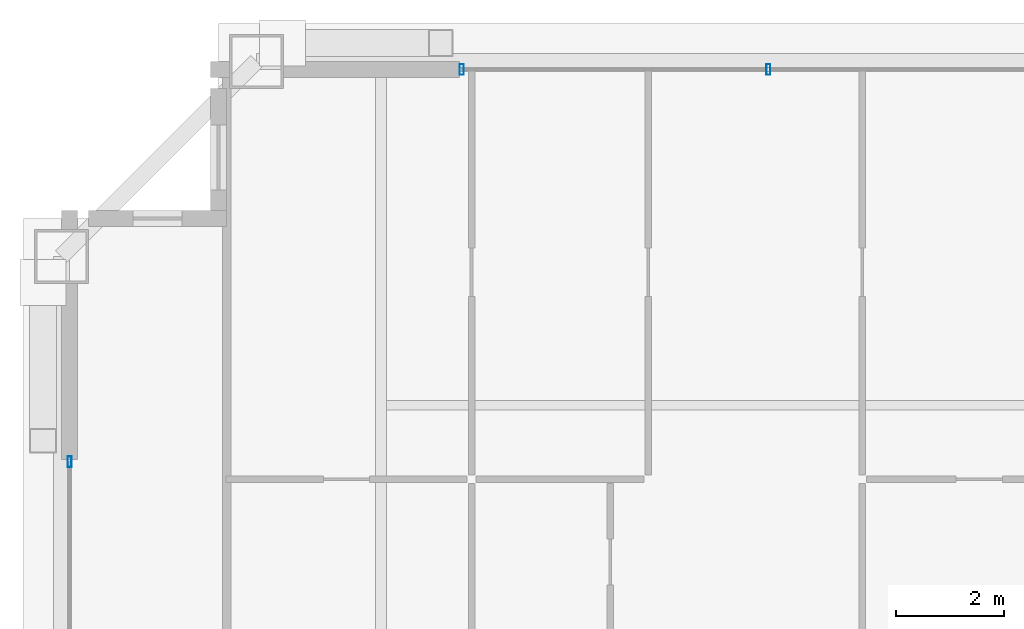
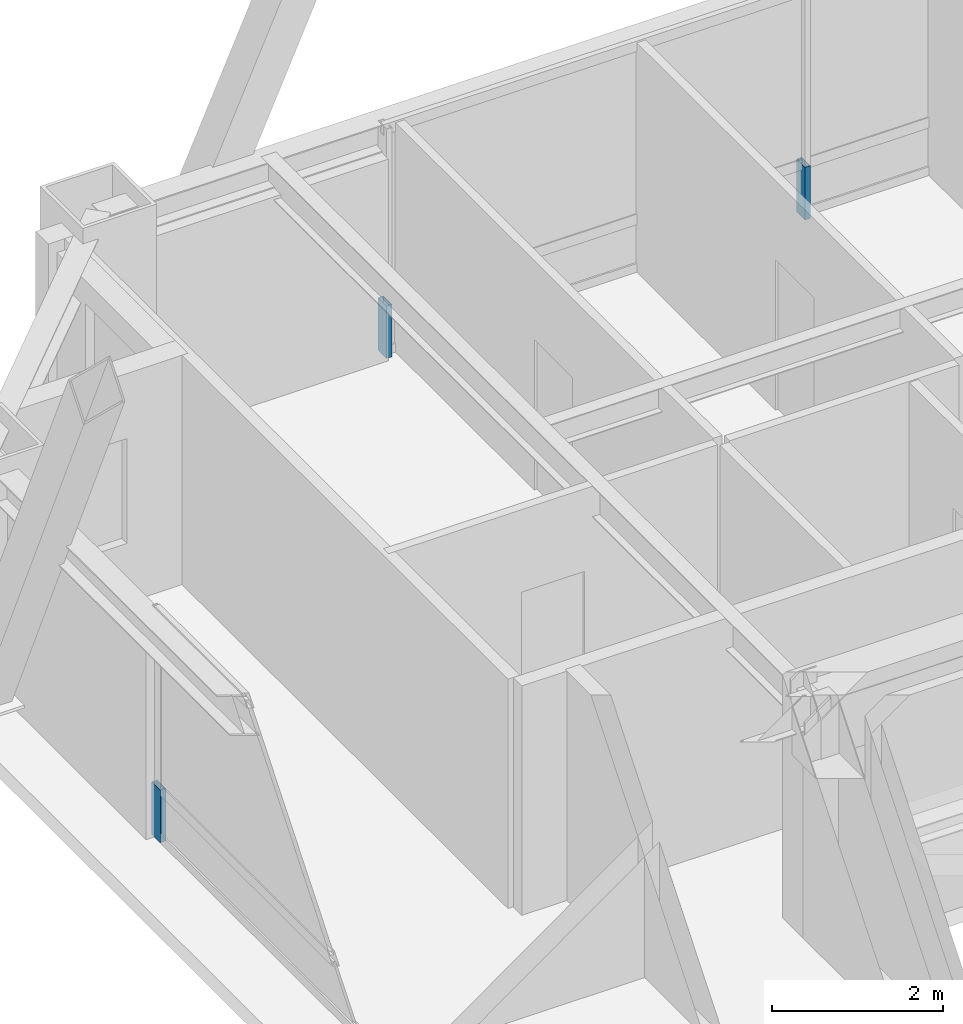
# One storey, part 26 of 35: 3 members, 2 elements without a shape of their own.
"""IFC4 building model written with IfcOpenShell, lengths in metres."""

from ifc_helpers import new_model, si_unit, direction, frame, origin, origin_2d, place, context, subcontext, project, spatial, hollow_rectangle, extrude, source, transform, mapped, material, layer, layer_set, material_profile, profile_set, type_object, element, aggregate, save


model = new_model("IFC4")

# Units and contexts
model_context = context("Model", 3, precision=1e-05, world=origin(), true_north=direction((0.0, 1.0)))
body_context = subcontext(model_context, "Body", "Model", "MODEL_VIEW")
ifc_project = project(units=[si_unit("LENGTHUNIT", "METRE"), si_unit("AREAUNIT", "SQUARE_METRE"), si_unit("VOLUMEUNIT", "CUBIC_METRE"), si_unit("PLANEANGLEUNIT", "RADIAN"), si_unit("MASSUNIT", "GRAM", prefix="KILO"), si_unit("THERMODYNAMICTEMPERATUREUNIT", "KELVIN"), si_unit("POWERUNIT", "WATT")], contexts=[model_context])

# Site, building, storey
site_placement = place(None, origin())
site = spatial("IfcSite", under=ifc_project, at=site_placement, CompositionType="ELEMENT")
building_placement = place(site_placement, origin())
building = spatial("IfcBuilding", under=site, at=building_placement, Name="Yuzanri Waterfront Tower", CompositionType="ELEMENT")
storey_placement = place(building_placement, frame((0.0, 0.0, 299.60009765625)))
storey = spatial("IfcBuildingStorey", under=building, at=storey_placement, Name="L80", CompositionType="ELEMENT", Elevation=299.60009765625)

# Curtain wall, members
ifc_material_1 = material(Name="Anodized Architectural Bronze", Category="metal")
ifc_layer = layer(ifc_material_1, 0.159912109375)
ifc_layer_set = layer_set([ifc_layer], Name="Anodized Architectural Bronze")
curtain_wall_type = type_object("IfcCurtainWallType", Name="Anodized Bronze High-Rise Penthouse High-Wind Unitized Curtain Wall 6900", PredefinedType="NOTDEFINED", material=ifc_layer_set)
curtain_wall_1_placement = place(storey_placement, origin())
curtain_wall_1 = element("IfcCurtainWall", 1, at=curtain_wall_1_placement, inside=storey, type_object=curtain_wall_type, Name="L80 Curtain Wall CW-L80-NL", PredefinedType="NOTDEFINED")
ifc_material_2 = material(Name="Anodized Architectural Bronze", Category="metal")
ifc_material_profile = material_profile(ifc_material_2, hollow_rectangle(XDim=0.074951171875, YDim=0.199951171875, WallThickness=0.00390625, at=origin_2d()), Name="CWM 75x200")
ifc_profile_set = profile_set([ifc_material_profile], Name="Anodized Architectural Bronze")
member_type = type_object("IfcMemberType", Name="Anodized Bronze Primary Curtain-Wall Mullion 75x200", PredefinedType="MULLION", material=ifc_profile_set)
shared_shape = source(origin(), body_context, "Body", "SweptSolid", [
    extrude(hollow_rectangle(XDim=0.074951171875, YDim=0.199951171875, WallThickness=0.00390625, at=origin_2d()), origin(), (0.0, 0.0, 1.0), 0.751953125),
])
member_1_placement = place(storey_placement, frame((25.2900390625, 44.75, 0.0), z_axis=(0.0, 0.0, 1.0), x_axis=(1.0, 0.0, 0.0)))
member_1 = element("IfcMember", 2, at=member_1_placement, type_object=member_type, Name="CW-L80-NL Lower Mullion 00", PredefinedType="MULLION", context=body_context, shape_type="MappedRepresentation", body=[
    mapped(shared_shape, transform((0.0, 0.0, 0.0), scale=1.0)),
])
member_2_placement = place(storey_placement, frame((30.949951171875, 44.75, 0.0), z_axis=(0.0, 0.0, 1.0), x_axis=(1.0, 0.0, 0.0)))
member_2 = element("IfcMember", 3, at=member_2_placement, type_object=member_type, Name="CW-L80-NL Lower Mullion 01", PredefinedType="MULLION", context=body_context, shape_type="MappedRepresentation", body=[
    mapped(shared_shape, transform((0.0, 0.0, 0.0), scale=1.0)),
])
aggregate(curtain_wall_1, [member_1, member_2])

# Curtain wall, member
curtain_wall_2_placement = place(storey_placement, origin())
curtain_wall_2 = element("IfcCurtainWall", 4, at=curtain_wall_2_placement, inside=storey, type_object=curtain_wall_type, Name="L80 Curtain Wall CW-L80-WR", PredefinedType="NOTDEFINED")
member_3_placement = place(storey_placement, frame((18.050048828125, 37.510009765625, 0.0), z_axis=(0.0, 0.0, 1.0), x_axis=(1.0, 0.0, 0.0)))
member_3 = element("IfcMember", 5, at=member_3_placement, type_object=member_type, Name="CW-L80-WR Lower Mullion 02", PredefinedType="MULLION", context=body_context, shape_type="MappedRepresentation", body=[
    mapped(shared_shape, transform((0.0, 0.0, 0.0), scale=1.0)),
])
aggregate(curtain_wall_2, [member_3])

save(model, "model.ifc")
